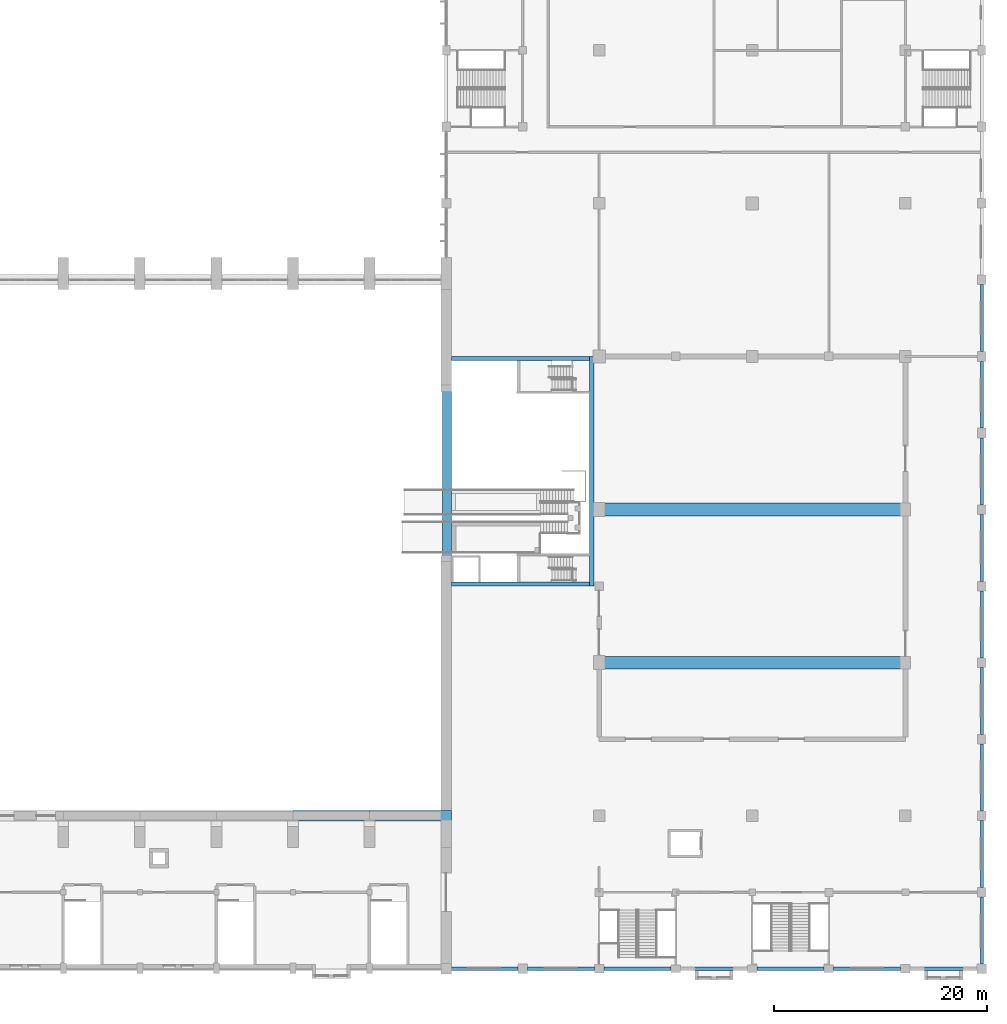
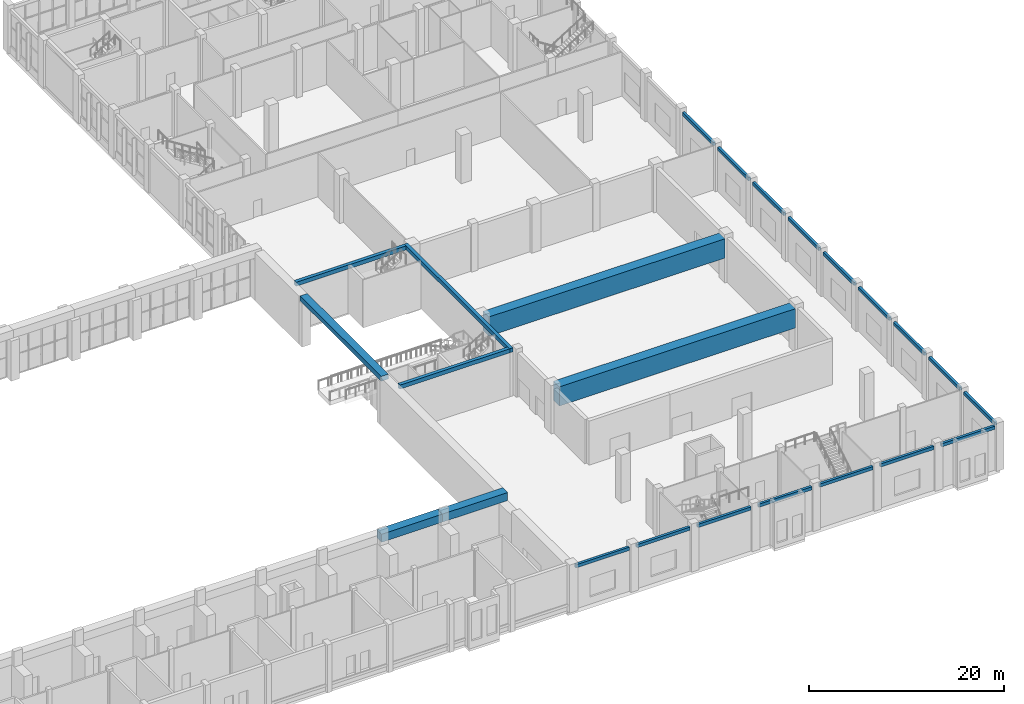
# One storey, part 12 of 44: 24 beams.
"""IFC4 building model written with IfcOpenShell, lengths in metres."""

from ifc_helpers import new_model, si_unit, direction, frame, origin, origin_2d, place, context, subcontext, project, spatial, rectangle, extrude, material, material_profile, profile_set, type_object, element, save


model = new_model("IFC4")

# Units and contexts
model_context = context("Model", 3, precision=1e-05, world=origin(), true_north=direction((0.0, 1.0)))
body_context = subcontext(model_context, "Body", "Model", "MODEL_VIEW")
ifc_project = project(units=[si_unit("LENGTHUNIT", "METRE"), si_unit("AREAUNIT", "SQUARE_METRE"), si_unit("VOLUMEUNIT", "CUBIC_METRE"), si_unit("PLANEANGLEUNIT", "RADIAN"), si_unit("MASSUNIT", "GRAM", prefix="KILO")], contexts=[model_context])

# Site, building, storey
site_placement = place(None, origin())
site = spatial("IfcSite", under=ifc_project, at=site_placement, CompositionType="ELEMENT")
building_placement = place(site_placement, origin())
building = spatial("IfcBuilding", under=site, at=building_placement, Name="Vermilion Court Aquatics Centre", CompositionType="ELEMENT")
storey_placement = place(building_placement, frame((0.0, 0.0, 6.0)))
storey = spatial("IfcBuildingStorey", under=building, at=storey_placement, Name="L01", CompositionType="ELEMENT", Elevation=6.0)

# Beams
ifc_material_1 = material(Name="Concrete 8000 psi", Category="concrete")
ifc_material_profile_1 = material_profile(ifc_material_1, rectangle(XDim=0.39990234375, YDim=0.5, at=origin_2d()), Name="RC 400x500")
ifc_profile_set_1 = profile_set([ifc_material_profile_1], Name="Concrete 8000 psi")
beam_type_1 = type_object("IfcBeamType", Name="Diving Tower ring beam 400x500", PredefinedType="BEAM", material=ifc_profile_set_1)
for number, where, z_axis, x_axis, name in (
    (1, (144.5, 36.199951171875, 5.75), (1.0, 0.0, 0.0), (0.0, 1.0, 0.0), "Diving Tower ring beam S L02"),
    (2, (144.5, 57.39990234375, 5.75), (1.0, 0.0, 0.0), (0.0, 1.0, 0.0), "Diving Tower ring beam N L02"),
):
    element("IfcBeam", number, at=place(storey_placement, frame(where, z_axis=z_axis, x_axis=x_axis)), inside=storey, type_object=beam_type_1, Name=name, PredefinedType="BEAM", context=body_context, shape_type="SweptSolid", body=[
        extrude(rectangle(XDim=0.39990234375, YDim=0.5, at=origin_2d()), origin(), (0.0, 0.0, 1.0), 13.0),
    ])
beam_1_placement = place(storey_placement, frame((157.699951171875, 36.0, 5.75), z_axis=(0.0, 1.0, 0.0), x_axis=(-1.0, 0.0, 0.0)))
element("IfcBeam", 3, at=beam_1_placement, inside=storey, type_object=beam_type_1, Name="Diving Tower ring beam E L02", PredefinedType="BEAM", context=body_context, shape_type="SweptSolid", body=[
    extrude(rectangle(XDim=0.39990234375, YDim=0.5, at=origin_2d()), origin(), (0.0, 0.0, 1.0), 21.60009765625),
])
ifc_material_2 = material(Name="Concrete 5000 psi", Category="concrete")
ifc_material_profile_2 = material_profile(ifc_material_2, rectangle(XDim=0.860107421875, YDim=0.60009765625, at=origin_2d()), Name="RC 860x600")
ifc_profile_set_2 = profile_set([ifc_material_profile_2], Name="Concrete 5000 psi")
beam_type_2 = type_object("IfcBeamType", Name="Envelope gable portal tie beam RC 860x600", PredefinedType="BEAM", material=ifc_profile_set_2)
beam_2_placement = place(storey_placement, frame((144.070068359375, 38.300048828125, 5.699951171875), z_axis=(0.0, 1.0, 0.0), x_axis=(-1.0, 0.0, 0.0)))
element("IfcBeam", 4, at=beam_2_placement, inside=storey, type_object=beam_type_2, Name="Gable portal tie beam", PredefinedType="BEAM", context=body_context, shape_type="SweptSolid", body=[
    extrude(rectangle(XDim=0.860107421875, YDim=0.60009765625, at=origin_2d()), origin(), (0.0, 0.0, 1.0), 16.599853515625),
])
ifc_material_3 = material(Name="Concrete 5000 psi", Category="concrete")
ifc_material_profile_3 = material_profile(ifc_material_3, rectangle(XDim=0.300048828125, YDim=0.39990234375, at=origin_2d()), Name="RC 300x400")
ifc_profile_set_3 = profile_set([ifc_material_profile_3], Name="Concrete 5000 psi")
beam_type_3 = type_object("IfcBeamType", Name="Podium spandrel beam RC 300x400", PredefinedType="BEAM", material=ifc_profile_set_3)
for number, where, z_axis, x_axis, name in (
    (5, (144.449951171875, 0.0, 5.300048828125), (1.0, 0.0, 0.0), (0.0, 1.0, 0.0), "Spandrel beam L01"),
    (6, (151.64990234375, 0.0, 5.300048828125), (1.0, 0.0, 0.0), (0.0, 1.0, 0.0), "Spandrel beam L01"),
):
    element("IfcBeam", number, at=place(storey_placement, frame(where, z_axis=z_axis, x_axis=x_axis)), inside=storey, type_object=beam_type_3, Name=name, PredefinedType="BEAM", context=body_context, shape_type="SweptSolid", body=[
        extrude(rectangle(XDim=0.300048828125, YDim=0.39990234375, at=origin_2d()), origin(), (0.0, 0.0, 1.0), 6.300048828125),
    ])
beam_3_placement = place(storey_placement, frame((158.85009765625, 0.0, 5.300048828125), z_axis=(1.0, 0.0, 0.0), x_axis=(0.0, 1.0, 0.0)))
element("IfcBeam", 7, at=beam_3_placement, inside=storey, type_object=beam_type_3, Name="Spandrel beam L01", PredefinedType="BEAM", context=body_context, shape_type="SweptSolid", body=[
    extrude(rectangle(XDim=0.300048828125, YDim=0.39990234375, at=origin_2d()), origin(), (0.0, 0.0, 1.0), 6.2998046875),
])
for number, where, z_axis, x_axis, name in (
    (8, (166.050048828125, 0.0, 5.300048828125), (1.0, 0.0, 0.0), (0.0, 1.0, 0.0), "Spandrel beam L01"),
    (9, (173.25, 0.0, 5.300048828125), (1.0, 0.0, 0.0), (0.0, 1.0, 0.0), "Spandrel beam L01"),
    (10, (180.449951171875, 0.0, 5.300048828125), (1.0, 0.0, 0.0), (0.0, 1.0, 0.0), "Spandrel beam L01"),
    (11, (187.64990234375, 0.0, 5.300048828125), (1.0, 0.0, 0.0), (0.0, 1.0, 0.0), "Spandrel beam L01"),
    (12, (194.39990234375, 0.449951171875, 5.300048828125), (0.0, 1.0, 0.0), (-1.0, 0.0, 0.0), "Spandrel beam L01"),
    (13, (194.39990234375, 7.64990234375, 5.300048828125), (0.0, 1.0, 0.0), (-1.0, 0.0, 0.0), "Spandrel beam L01"),
):
    element("IfcBeam", number, at=place(storey_placement, frame(where, z_axis=z_axis, x_axis=x_axis)), inside=storey, type_object=beam_type_3, Name=name, PredefinedType="BEAM", context=body_context, shape_type="SweptSolid", body=[
        extrude(rectangle(XDim=0.300048828125, YDim=0.39990234375, at=origin_2d()), origin(), (0.0, 0.0, 1.0), 6.300048828125),
    ])
beam_4_placement = place(storey_placement, frame((194.39990234375, 14.85009765625, 5.300048828125), z_axis=(0.0, 1.0, 0.0), x_axis=(-1.0, 0.0, 0.0)))
element("IfcBeam", 14, at=beam_4_placement, inside=storey, type_object=beam_type_3, Name="Spandrel beam L01", PredefinedType="BEAM", context=body_context, shape_type="SweptSolid", body=[
    extrude(rectangle(XDim=0.300048828125, YDim=0.39990234375, at=origin_2d()), origin(), (0.0, 0.0, 1.0), 6.2998046875),
])
for number, where, z_axis, x_axis, name in (
    (15, (194.39990234375, 22.050048828125, 5.300048828125), (0.0, 1.0, 0.0), (-1.0, 0.0, 0.0), "Spandrel beam L01"),
    (16, (194.39990234375, 29.25, 5.300048828125), (0.0, 1.0, 0.0), (-1.0, 0.0, 0.0), "Spandrel beam L01"),
    (17, (194.39990234375, 36.449951171875, 5.300048828125), (0.0, 1.0, 0.0), (-1.0, 0.0, 0.0), "Spandrel beam L01"),
    (18, (194.39990234375, 43.64990234375, 5.300048828125), (0.0, 1.0, 0.0), (-1.0, 0.0, 0.0), "Spandrel beam L01"),
):
    element("IfcBeam", number, at=place(storey_placement, frame(where, z_axis=z_axis, x_axis=x_axis)), inside=storey, type_object=beam_type_3, Name=name, PredefinedType="BEAM", context=body_context, shape_type="SweptSolid", body=[
        extrude(rectangle(XDim=0.300048828125, YDim=0.39990234375, at=origin_2d()), origin(), (0.0, 0.0, 1.0), 6.300048828125),
    ])
beam_5_placement = place(storey_placement, frame((194.39990234375, 50.85009765625, 5.300048828125), z_axis=(0.0, 1.0, 0.0), x_axis=(-1.0, 0.0, 0.0)))
element("IfcBeam", 19, at=beam_5_placement, inside=storey, type_object=beam_type_3, Name="Spandrel beam L01", PredefinedType="BEAM", context=body_context, shape_type="SweptSolid", body=[
    extrude(rectangle(XDim=0.300048828125, YDim=0.39990234375, at=origin_2d()), origin(), (0.0, 0.0, 1.0), 6.2998046875),
])
beam_6_placement = place(storey_placement, frame((194.39990234375, 58.050048828125, 5.300048828125), z_axis=(0.0, 1.0, 0.0), x_axis=(-1.0, 0.0, 0.0)))
element("IfcBeam", 20, at=beam_6_placement, inside=storey, type_object=beam_type_3, Name="Spandrel beam L01", PredefinedType="BEAM", context=body_context, shape_type="SweptSolid", body=[
    extrude(rectangle(XDim=0.300048828125, YDim=0.39990234375, at=origin_2d()), origin(), (0.0, 0.0, 1.0), 6.300048828125),
])
ifc_material_4 = material(Name="Concrete 5000 psi", Category="concrete")
ifc_material_profile_4 = material_profile(ifc_material_4, rectangle(XDim=1.199951171875, YDim=2.39990234375, at=origin_2d()), Name="RC 1200x2400")
ifc_profile_set_4 = profile_set([ifc_material_profile_4], Name="Concrete 5000 psi")
beam_type_4 = type_object("IfcBeamType", Name="Podium transfer girder RC 1200x2400", PredefinedType="BEAM", material=ifc_profile_set_4)
for number, where, z_axis, x_axis, name in (
    (21, (158.85009765625, 28.800048828125, 4.300048828125), (1.0, 0.0, 0.0), (0.0, 1.0, 0.0), "Transfer girder at E"),
    (22, (158.85009765625, 43.199951171875, 4.300048828125), (1.0, 0.0, 0.0), (0.0, 1.0, 0.0), "Transfer girder at G"),
):
    element("IfcBeam", number, at=place(storey_placement, frame(where, z_axis=z_axis, x_axis=x_axis)), inside=storey, type_object=beam_type_4, Name=name, PredefinedType="BEAM", context=body_context, shape_type="SweptSolid", body=[
        extrude(rectangle(XDim=1.199951171875, YDim=2.39990234375, at=origin_2d()), origin(), (0.0, 0.0, 1.0), 27.89990234375),
    ])
ifc_material_5 = material(Name="Concrete 5000 psi", Category="concrete")
ifc_material_profile_5 = material_profile(ifc_material_5, rectangle(XDim=1.0, YDim=1.0, at=origin_2d()), Name="RC 1000x1000")
ifc_profile_set_5 = profile_set([ifc_material_profile_5], Name="Concrete 5000 psi")
beam_type_5 = type_object("IfcBeamType", Name="Roof springing tie beam south (bearing on the hall wall)", PredefinedType="BEAM", material=ifc_profile_set_5)
beam_7_placement = place(storey_placement, frame((129.60009765625, 14.39990234375, 5.5), z_axis=(1.0, 0.0, 0.0), x_axis=(0.0, 1.0, 0.0)))
element("IfcBeam", 23, at=beam_7_placement, inside=storey, type_object=beam_type_5, Name="Springing tie beam STS17", PredefinedType="BEAM", context=body_context, shape_type="SweptSolid", body=[
    extrude(rectangle(XDim=1.0, YDim=1.0, at=origin_2d()), origin(), (0.0, 0.0, 1.0), 7.199951171875),
])
beam_8_placement = place(storey_placement, frame((136.800048828125, 14.39990234375, 5.5), z_axis=(1.0, 0.0, 0.0), x_axis=(0.0, 1.0, 0.0)))
element("IfcBeam", 24, at=beam_8_placement, inside=storey, type_object=beam_type_5, Name="Springing tie beam STS18", PredefinedType="BEAM", context=body_context, shape_type="SweptSolid", body=[
    extrude(rectangle(XDim=1.0, YDim=1.0, at=origin_2d()), origin(), (0.0, 0.0, 1.0), 7.699951171875),
])

save(model, "model.ifc")
